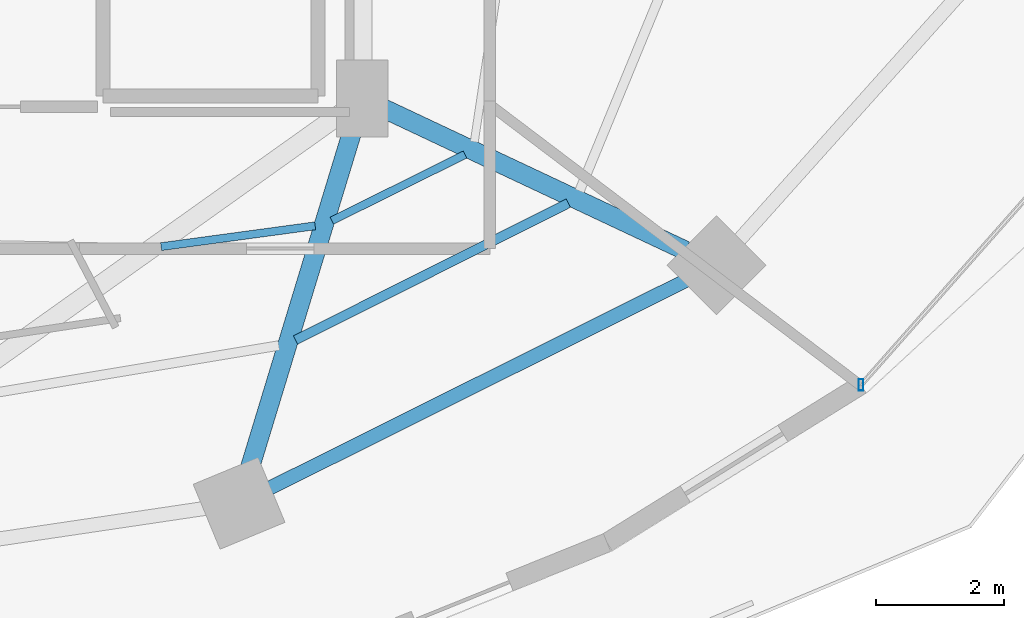
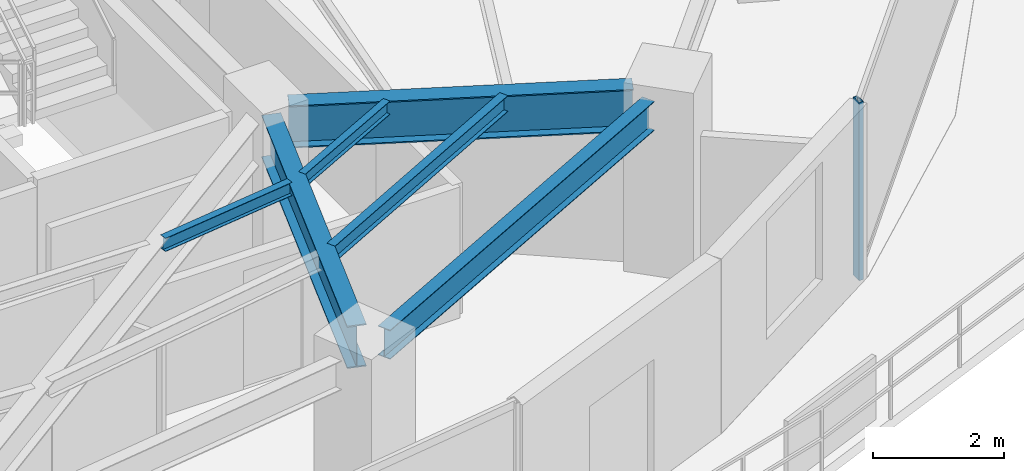
# One storey, part 11 of 30: 6 beams, 1 member, 1 element without a shape of its own.
"""IFC4 building model written with IfcOpenShell, lengths in metres."""

from ifc_helpers import new_model, si_unit, direction, frame, origin, origin_2d, place, context, subcontext, project, spatial, hollow_rectangle, i_section, extrude, material, material_profile, profile_set, type_object, element, aggregate, save


model = new_model("IFC4")

# Units and contexts
model_context = context("Model", 3, precision=1e-05, world=origin(), true_north=direction((0.0, 1.0)))
body_context = subcontext(model_context, "Body", "Model", "MODEL_VIEW")
ifc_project = project(units=[si_unit("LENGTHUNIT", "METRE"), si_unit("AREAUNIT", "SQUARE_METRE"), si_unit("VOLUMEUNIT", "CUBIC_METRE"), si_unit("PLANEANGLEUNIT", "RADIAN"), si_unit("MASSUNIT", "GRAM", prefix="KILO")], contexts=[model_context])

# Site, building, storey
site_placement = place(None, origin())
site = spatial("IfcSite", under=ifc_project, at=site_placement, CompositionType="ELEMENT")
building_placement = place(site_placement, origin())
building = spatial("IfcBuilding", under=site, at=building_placement, Name="Vorneva Point Tower", CompositionType="ELEMENT")
storey_placement = place(building_placement, frame((0.0, 0.0, 96.300048828125)))
storey = spatial("IfcBuildingStorey", under=building, at=storey_placement, Name="L25", CompositionType="ELEMENT", Elevation=96.300048828125)

# Beams
ifc_material_1 = material(Name="Steel S355", Category="steel")
ifc_material_profile_1 = material_profile(ifc_material_1, i_section(OverallWidth=0.300048828125, OverallDepth=0.7880859375, WebThickness=0.014404296875, FlangeThickness=0.02197265625, at=origin_2d()), Name="80Sh1")
ifc_profile_set_1 = profile_set([ifc_material_profile_1], Name="Steel S355")
beam_type_1 = type_object("IfcBeamType", Name="BM-GRD-80Sh1", PredefinedType="USERDEFINED", material=ifc_profile_set_1)
beam_1_placement = place(storey_placement, frame((46.9775390625, 10.6240234375, 2.845947265625), z_axis=(0.291034888253, 0.956712440506, 0.0), x_axis=(-0.956712440506, 0.291034888253, 0.0)))
element("IfcBeam", 1, at=beam_1_placement, inside=storey, type_object=beam_type_1, Name="L25 Radial Primary Girder 14", ObjectType="GIRDER", PredefinedType="USERDEFINED", context=body_context, shape_type="SweptSolid", body=[
    extrude(i_section(OverallWidth=0.300048828125, OverallDepth=0.7880859375, WebThickness=0.014404296875, FlangeThickness=0.02197265625, at=origin_2d()), origin(), (0.0, 0.0, 1.0), 5.74951171875),
])
beam_2_placement = place(storey_placement, frame((53.81201171875, 14.06689453125, 2.845947265625), z_axis=(-0.904751304927, 0.425940226126, 0.0), x_axis=(-0.425940226126, -0.904751304927, 0.0)))
element("IfcBeam", 2, at=beam_2_placement, inside=storey, type_object=beam_type_1, Name="L25 Radial Primary Girder 15", ObjectType="GIRDER", PredefinedType="USERDEFINED", context=body_context, shape_type="SweptSolid", body=[
    extrude(i_section(OverallWidth=0.300048828125, OverallDepth=0.7880859375, WebThickness=0.014404296875, FlangeThickness=0.02197265625, at=origin_2d()), origin(), (0.0, 0.0, 1.0), 5.2548828125),
])
ifc_material_profile_2 = material_profile(ifc_material_1, i_section(OverallWidth=0.1240234375, OverallDepth=0.248046875, WebThickness=0.0048828125, FlangeThickness=0.008056640625, at=origin_2d()), Name="25B1")
ifc_profile_set_2 = profile_set([ifc_material_profile_2], Name="Steel S355")
beam_type_2 = type_object("IfcBeamType", Name="BM-JST-25B1", PredefinedType="JOIST", material=ifc_profile_set_2)
beam_3_placement = place(storey_placement, frame((45.599365234375, 14.129150390625, 3.115966796875), z_axis=(0.990946337879, 0.134258539555, 0.0), x_axis=(-0.134258539555, 0.990946337879, 0.0)))
element("IfcBeam", 3, at=beam_3_placement, inside=storey, type_object=beam_type_2, Name="L25 Secondary Floor Beam 2.13", PredefinedType="JOIST", context=body_context, shape_type="SweptSolid", body=[
    extrude(i_section(OverallWidth=0.1240234375, OverallDepth=0.248046875, WebThickness=0.0048828125, FlangeThickness=0.008056640625, at=origin_2d()), origin(), (0.0, 0.0, 1.0), 2.434814453125),
])
beam_4_placement = place(storey_placement, frame((48.272705078125, 14.535888671875, 3.115966796875), z_axis=(0.89565974577, 0.444739946268, 0.0), x_axis=(-0.444739946268, 0.89565974577, 0.0)))
element("IfcBeam", 4, at=beam_4_placement, inside=storey, type_object=beam_type_2, Name="L25 Secondary Floor Beam 2.14", PredefinedType="JOIST", context=body_context, shape_type="SweptSolid", body=[
    extrude(i_section(OverallWidth=0.1240234375, OverallDepth=0.248046875, WebThickness=0.0048828125, FlangeThickness=0.008056640625, at=origin_2d()), origin(), (0.0, 0.0, 1.0), 2.330810546875),
])
ifc_material_profile_3 = material_profile(ifc_material_1, i_section(OverallWidth=0.14892578125, OverallDepth=0.298095703125, WebThickness=0.005615234375, FlangeThickness=0.008056640625, at=origin_2d()), Name="30B1")
ifc_profile_set_3 = profile_set([ifc_material_profile_3], Name="Steel S355")
beam_type_3 = type_object("IfcBeamType", Name="BM-JST-30B1", PredefinedType="JOIST", material=ifc_profile_set_3)
beam_5_placement = place(storey_placement, frame((47.703369140625, 12.666015625, 3.091064453125), z_axis=(0.89376245769, 0.448540599304, 0.0), x_axis=(-0.448540599304, 0.89376245769, 0.0)))
element("IfcBeam", 5, at=beam_5_placement, inside=storey, type_object=beam_type_3, Name="L25 Secondary Floor Beam 1.14", PredefinedType="JOIST", context=body_context, shape_type="SweptSolid", body=[
    extrude(i_section(OverallWidth=0.14892578125, OverallDepth=0.298095703125, WebThickness=0.005615234375, FlangeThickness=0.008056640625, at=origin_2d()), origin(), (0.0, 0.0, 1.0), 4.78173828125),
])
ifc_material_profile_4 = material_profile(ifc_material_1, i_section(OverallWidth=0.219970703125, OverallDepth=0.54296875, WebThickness=0.009521484375, FlangeThickness=0.013427734375, at=origin_2d()), Name="55B1")
ifc_profile_set_4 = profile_set([ifc_material_profile_4], Name="Steel S355")
beam_type_4 = type_object("IfcBeamType", Name="BM-SPN-55B1", PredefinedType="SPANDREL", material=ifc_profile_set_4)
beam_6_placement = place(storey_placement, frame((47.2998046875, 10.347900390625, 2.968505859375), z_axis=(0.894915882304, 0.446234874926, 0.0), x_axis=(-0.446234874926, 0.894915882304, 0.0)))
element("IfcBeam", 6, at=beam_6_placement, inside=storey, type_object=beam_type_4, Name="L25 Perimeter Spandrel Ring Beam 14", PredefinedType="SPANDREL", context=body_context, shape_type="SweptSolid", body=[
    extrude(i_section(OverallWidth=0.219970703125, OverallDepth=0.54296875, WebThickness=0.009521484375, FlangeThickness=0.013427734375, at=origin_2d()), origin(), (0.0, 0.0, 1.0), 7.285888671875),
])

# Curtain wall, member
ifc_material_2 = material(Name="Pale anodised aluminium", Category="aluminium")
curtain_wall_type = type_object("IfcCurtainWallType", Name="CW-HTL-SYS", PredefinedType="NOTDEFINED", material=ifc_material_2)
curtain_wall_placement = place(storey_placement, origin())
curtain_wall = element("IfcCurtainWall", 7, at=curtain_wall_placement, inside=storey, type_object=curtain_wall_type, Name="L25 Unitised Curtain Wall CW-L25-R01", PredefinedType="NOTDEFINED")
ifc_material_profile_5 = material_profile(ifc_material_2, hollow_rectangle(XDim=0.074951171875, YDim=0.179931640625, WallThickness=0.00390625, at=origin_2d()), Name="AL-MUL 180x75x4")
ifc_profile_set_5 = profile_set([ifc_material_profile_5], Name="Pale anodised aluminium")
member_type = type_object("IfcMemberType", Name="CW-MUL-180", PredefinedType="MULLION", material=ifc_profile_set_5)
member_placement = place(storey_placement, frame((56.5615234375, 11.9638671875, -0.0400390625), z_axis=(0.0, 0.0, 1.0), x_axis=(1.0, 0.0, 0.0)))
member = element("IfcMember", 8, at=member_placement, type_object=member_type, Name="CW-L25-R01 Mullion 01", PredefinedType="MULLION", context=body_context, shape_type="SweptSolid", body=[
    extrude(hollow_rectangle(XDim=0.074951171875, YDim=0.179931640625, WallThickness=0.00390625, at=origin_2d()), origin(), (0.0, 0.0, 1.0), 3.31005859375),
])
aggregate(curtain_wall, [member])

save(model, "model.ifc")
